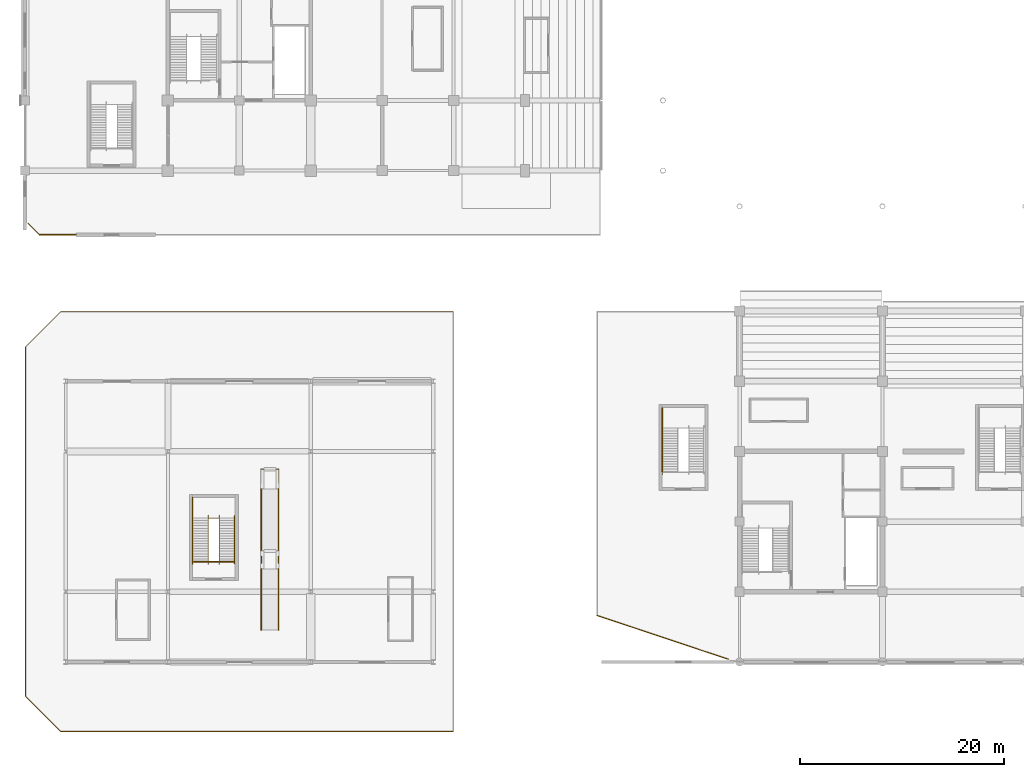
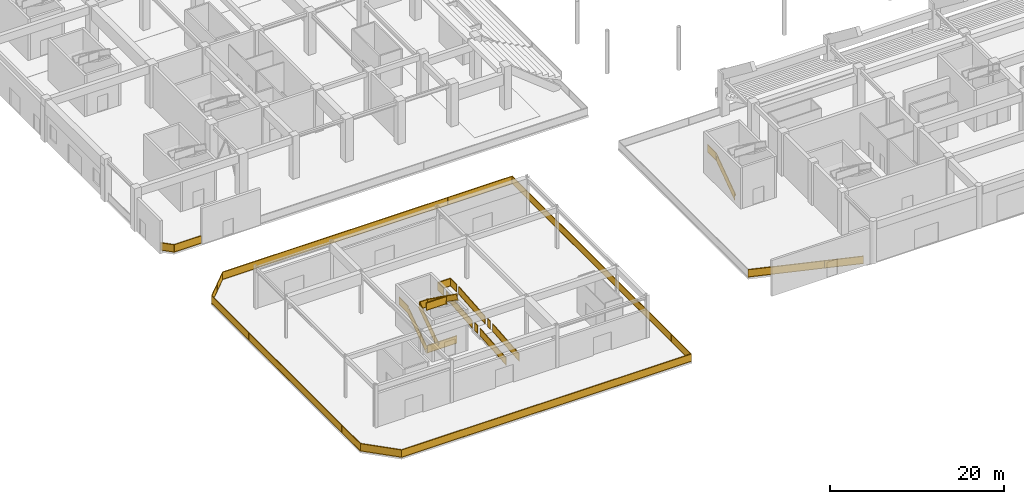
# One storey, part 57 of 73: 16 railings.
"""IFC4 building model written with IfcOpenShell, lengths in metres."""

from ifc_helpers import new_model, si_unit, direction, frame, origin, origin_2d, place, context, subcontext, project, spatial, rectangle, extrude, material, type_object, element, save


model = new_model("IFC4")

# Units and contexts
model_context = context("Model", 3, precision=1e-05, world=origin(), true_north=direction((0.0, 1.0)))
body_context = subcontext(model_context, "Body", "Model", "MODEL_VIEW")
ifc_project = project(units=[si_unit("LENGTHUNIT", "METRE"), si_unit("AREAUNIT", "SQUARE_METRE"), si_unit("VOLUMEUNIT", "CUBIC_METRE"), si_unit("PLANEANGLEUNIT", "RADIAN"), si_unit("MASSUNIT", "GRAM", prefix="KILO")], contexts=[model_context])

# Site, building, storey
site_placement = place(None, origin())
site = spatial("IfcSite", under=ifc_project, at=site_placement, CompositionType="ELEMENT")
building_placement = place(site_placement, origin())
building = spatial("IfcBuilding", under=site, at=building_placement, Name="Linyun Crest Stadium", CompositionType="ELEMENT")
storey_placement = place(building_placement, origin())
storey = spatial("IfcBuildingStorey", under=building, at=storey_placement, Name="L01", CompositionType="ELEMENT", Elevation=0.0)

# Railings
ifc_material_1 = material(Name="Verdigris painted steel botanical balustrade", Category="steel")
railing_type_1 = type_object("IfcRailingType", Name="GR01", PredefinedType="BALUSTRADE", material=ifc_material_1)
railing_1_placement = place(storey_placement, frame((-74.840087890625, -84.422119140625, 0.5)))
element("IfcRailing", 1, at=railing_1_placement, inside=storey, type_object=railing_type_1, Name="Slab edge balustrade GR01 400", PredefinedType="BALUSTRADE", context=body_context, shape_type="SweptSolid", body=[
    extrude(rectangle(XDim=0.06005859375, YDim=0.06005859375, at=origin_2d()), frame((0.0, 0.0, 1.119873046875), z_axis=(0.0, 1.0, 0.0), x_axis=(-1.0, 0.0, 0.0)), (0.0, 0.0, 1.0), 0.64404296875),
    extrude(rectangle(XDim=0.030029296875, YDim=1.02978515625, at=origin_2d()), frame((0.0, 0.0, 0.574951171875), z_axis=(0.0, 1.0, 0.0), x_axis=(-1.0, 0.0, 0.0)), (0.0, 0.0, 1.0), 0.64404296875),
    extrude(rectangle(XDim=0.06005859375, YDim=0.06005859375, at=origin_2d()), frame((0.0, 0.0, 0.030029296875), z_axis=(0.0, 1.0, 0.0), x_axis=(-1.0, 0.0, 0.0)), (0.0, 0.0, 1.0), 0.64404296875),
    extrude(rectangle(XDim=0.050048828125, YDim=0.050048828125, at=origin_2d()), origin(), (0.0, 0.0, 1.0), 1.14990234375),
    extrude(rectangle(XDim=0.050048828125, YDim=0.050048828125, at=origin_2d()), frame((0.0, 0.64404296875, 0.0)), (0.0, 0.0, 1.0), 1.14990234375),
])
railing_2_placement = place(storey_placement, frame((-73.159912109375, -83.778076171875, 0.5)))
element("IfcRailing", 2, at=railing_2_placement, inside=storey, type_object=railing_type_1, Name="Slab edge balustrade GR01 401", PredefinedType="BALUSTRADE", context=body_context, shape_type="SweptSolid", body=[
    extrude(rectangle(XDim=0.06005859375, YDim=0.06005859375, at=origin_2d()), frame((0.0, 0.0, 1.119873046875), z_axis=(0.0, -1.0, 0.0), x_axis=(1.0, 0.0, 0.0)), (0.0, 0.0, 1.0), 0.64404296875),
    extrude(rectangle(XDim=0.030029296875, YDim=1.02978515625, at=origin_2d()), frame((0.0, 0.0, 0.574951171875), z_axis=(0.0, -1.0, 0.0), x_axis=(1.0, 0.0, 0.0)), (0.0, 0.0, 1.0), 0.64404296875),
    extrude(rectangle(XDim=0.06005859375, YDim=0.06005859375, at=origin_2d()), frame((0.0, 0.0, 0.030029296875), z_axis=(0.0, -1.0, 0.0), x_axis=(1.0, 0.0, 0.0)), (0.0, 0.0, 1.0), 0.64404296875),
    extrude(rectangle(XDim=0.050048828125, YDim=0.050048828125, at=origin_2d()), origin(), (0.0, 0.0, 1.0), 1.14990234375),
    extrude(rectangle(XDim=0.050048828125, YDim=0.050048828125, at=origin_2d()), frame((0.0, -0.64404296875, 0.0)), (0.0, 0.0, 1.0), 1.14990234375),
])
railing_3_placement = place(storey_placement, frame((-74.840087890625, -76.6220703125, 1.0)))
element("IfcRailing", 3, at=railing_3_placement, inside=storey, type_object=railing_type_1, Name="Slab edge balustrade GR01 402", PredefinedType="BALUSTRADE", context=body_context, shape_type="SweptSolid", body=[
    extrude(rectangle(XDim=0.06005859375, YDim=0.06005859375, at=origin_2d()), frame((0.0, 0.0, 1.119873046875), z_axis=(0.0, 1.0, 0.0), x_axis=(-1.0, 0.0, 0.0)), (0.0, 0.0, 1.0), 1.362060546875),
    extrude(rectangle(XDim=0.030029296875, YDim=1.02978515625, at=origin_2d()), frame((0.0, 0.0, 0.574951171875), z_axis=(0.0, 1.0, 0.0), x_axis=(-1.0, 0.0, 0.0)), (0.0, 0.0, 1.0), 1.362060546875),
    extrude(rectangle(XDim=0.06005859375, YDim=0.06005859375, at=origin_2d()), frame((0.0, 0.0, 0.030029296875), z_axis=(0.0, 1.0, 0.0), x_axis=(-1.0, 0.0, 0.0)), (0.0, 0.0, 1.0), 1.362060546875),
    extrude(rectangle(XDim=0.06005859375, YDim=0.06005859375, at=origin_2d()), frame((0.0, 1.362060546875, 1.119873046875), z_axis=(1.0, 0.0, 0.0), x_axis=(0.0, 1.0, 0.0)), (0.0, 0.0, 1.0), 1.68017578125),
    extrude(rectangle(XDim=0.030029296875, YDim=1.02978515625, at=origin_2d()), frame((0.0, 1.362060546875, 0.574951171875), z_axis=(1.0, 0.0, 0.0), x_axis=(0.0, 1.0, 0.0)), (0.0, 0.0, 1.0), 1.68017578125),
    extrude(rectangle(XDim=0.06005859375, YDim=0.06005859375, at=origin_2d()), frame((0.0, 1.362060546875, 0.030029296875), z_axis=(1.0, 0.0, 0.0), x_axis=(0.0, 1.0, 0.0)), (0.0, 0.0, 1.0), 1.68017578125),
    extrude(rectangle(XDim=0.06005859375, YDim=0.06005859375, at=origin_2d()), frame((1.68017578125, 1.362060546875, 1.119873046875), z_axis=(0.0, -1.0, 0.0), x_axis=(1.0, 0.0, 0.0)), (0.0, 0.0, 1.0), 1.362060546875),
    extrude(rectangle(XDim=0.030029296875, YDim=1.02978515625, at=origin_2d()), frame((1.68017578125, 1.362060546875, 0.574951171875), z_axis=(0.0, -1.0, 0.0), x_axis=(1.0, 0.0, 0.0)), (0.0, 0.0, 1.0), 1.362060546875),
    extrude(rectangle(XDim=0.06005859375, YDim=0.06005859375, at=origin_2d()), frame((1.68017578125, 1.362060546875, 0.030029296875), z_axis=(0.0, -1.0, 0.0), x_axis=(1.0, 0.0, 0.0)), (0.0, 0.0, 1.0), 1.362060546875),
    extrude(rectangle(XDim=0.050048828125, YDim=0.050048828125, at=origin_2d()), origin(), (0.0, 0.0, 1.0), 1.14990234375),
    extrude(rectangle(XDim=0.050048828125, YDim=0.050048828125, at=origin_2d()), frame((0.0, 1.362060546875, 0.0)), (0.0, 0.0, 1.0), 1.14990234375),
    extrude(rectangle(XDim=0.050048828125, YDim=0.050048828125, at=origin_2d()), frame((1.68017578125, 1.362060546875, 0.0)), (0.0, 0.0, 1.0), 1.14990234375),
    extrude(rectangle(XDim=0.050048828125, YDim=0.050048828125, at=origin_2d()), frame((1.68017578125, 0.0, 0.0)), (0.0, 0.0, 1.0), 1.14990234375),
])
ifc_material_2 = material(Name="Galvanized and powder-coated steel bowl safety barrier", Category="steel")
railing_type_2 = type_object("IfcRailingType", Name="GR02", PredefinedType="GUARDRAIL", material=ifc_material_2)
railing_4_placement = place(storey_placement, frame((-96.574951171875, -52.27490234375, 0.0)))
element("IfcRailing", 4, at=railing_4_placement, inside=storey, type_object=railing_type_2, Name="Slab edge balustrade GR02 1", PredefinedType="GUARDRAIL", context=body_context, shape_type="SweptSolid", body=[
    extrude(rectangle(XDim=0.06005859375, YDim=0.06005859375, at=origin_2d()), frame((0.0, 0.0, 1.090087890625), z_axis=(-0.707106781187, 0.707106781187, 0.0), x_axis=(-0.707106781187, -0.707106781187, 0.0)), (0.0, 0.0, 1.0), 1.562744140625),
    extrude(rectangle(XDim=0.030029296875, YDim=1.0, at=origin_2d()), frame((0.0, 0.0, 0.56005859375), z_axis=(-0.707106781187, 0.707106781187, 0.0), x_axis=(-0.707106781187, -0.707106781187, 0.0)), (0.0, 0.0, 1.0), 1.562744140625),
    extrude(rectangle(XDim=0.06005859375, YDim=0.06005859375, at=origin_2d()), frame((0.0, 0.0, 0.030029296875), z_axis=(-0.707106781187, 0.707106781187, 0.0), x_axis=(-0.707106781187, -0.707106781187, 0.0)), (0.0, 0.0, 1.0), 1.562744140625),
    extrude(rectangle(XDim=0.050048828125, YDim=0.050048828125, at=origin_2d()), origin(), (0.0, 0.0, 1.0), 1.1201171875),
    extrude(rectangle(XDim=0.050048828125, YDim=0.050048828125, at=origin_2d()), frame((-1.10498046875, 1.10498046875, 0.0)), (0.0, 0.0, 1.0), 1.1201171875),
])
railing_5_placement = place(storey_placement, frame((-93.0, -52.27490234375, 0.0)))
element("IfcRailing", 5, at=railing_5_placement, inside=storey, type_object=railing_type_2, Name="Slab edge balustrade GR02 5", PredefinedType="GUARDRAIL", context=body_context, shape_type="SweptSolid", body=[
    extrude(rectangle(XDim=0.06005859375, YDim=0.06005859375, at=origin_2d()), frame((0.0, 0.0, 1.090087890625), z_axis=(-1.0, 0.0, 0.0), x_axis=(0.0, -1.0, 0.0)), (0.0, 0.0, 1.0), 3.574951171875),
    extrude(rectangle(XDim=0.030029296875, YDim=1.0, at=origin_2d()), frame((0.0, 0.0, 0.56005859375), z_axis=(-1.0, 0.0, 0.0), x_axis=(0.0, -1.0, 0.0)), (0.0, 0.0, 1.0), 3.574951171875),
    extrude(rectangle(XDim=0.06005859375, YDim=0.06005859375, at=origin_2d()), frame((0.0, 0.0, 0.030029296875), z_axis=(-1.0, 0.0, 0.0), x_axis=(0.0, -1.0, 0.0)), (0.0, 0.0, 1.0), 3.574951171875),
    extrude(rectangle(XDim=0.050048828125, YDim=0.050048828125, at=origin_2d()), origin(), (0.0, 0.0, 1.0), 1.1201171875),
    extrude(rectangle(XDim=0.050048828125, YDim=0.050048828125, at=origin_2d()), frame((-3.574951171875, 0.0, 0.0)), (0.0, 0.0, 1.0), 1.1201171875),
])
railing_6_placement = place(storey_placement, frame((-29.14990234375, -93.844970703125, 0.0)))
element("IfcRailing", 6, at=railing_6_placement, inside=storey, type_object=railing_type_2, Name="Slab edge balustrade GR02 245", PredefinedType="GUARDRAIL", context=body_context, shape_type="SweptSolid", body=[
    extrude(rectangle(XDim=0.06005859375, YDim=0.06005859375, at=origin_2d()), frame((0.0, 0.0, 1.090087890625), z_axis=(-0.948692352143, 0.316200602443, 0.0), x_axis=(-0.316200602443, -0.948692352143, 0.0)), (0.0, 0.0, 1.0), 13.481689453125),
    extrude(rectangle(XDim=0.030029296875, YDim=1.0, at=origin_2d()), frame((0.0, 0.0, 0.56005859375), z_axis=(-0.948692352143, 0.316200602443, 0.0), x_axis=(-0.316200602443, -0.948692352143, 0.0)), (0.0, 0.0, 1.0), 13.481689453125),
    extrude(rectangle(XDim=0.06005859375, YDim=0.06005859375, at=origin_2d()), frame((0.0, 0.0, 0.030029296875), z_axis=(-0.948692352143, 0.316200602443, 0.0), x_axis=(-0.316200602443, -0.948692352143, 0.0)), (0.0, 0.0, 1.0), 13.481689453125),
    extrude(rectangle(XDim=0.050048828125, YDim=0.050048828125, at=origin_2d()), origin(), (0.0, 0.0, 1.0), 1.1201171875),
    extrude(rectangle(XDim=0.050048828125, YDim=0.050048828125, at=origin_2d()), frame((-4.263427734375, 1.4208984375, 0.0)), (0.0, 0.0, 1.0), 1.1201171875),
    extrude(rectangle(XDim=0.050048828125, YDim=0.050048828125, at=origin_2d()), frame((-8.526611328125, 2.842041015625, 0.0)), (0.0, 0.0, 1.0), 1.1201171875),
    extrude(rectangle(XDim=0.050048828125, YDim=0.050048828125, at=origin_2d()), frame((-12.7900390625, 4.262939453125, 0.0)), (0.0, 0.0, 1.0), 1.1201171875),
])
railing_7_placement = place(storey_placement, frame((-94.47509765625, -100.93994140625, 0.0)))
element("IfcRailing", 7, at=railing_7_placement, inside=storey, type_object=railing_type_2, Name="Slab edge balustrade GR02 379", PredefinedType="GUARDRAIL", context=body_context, shape_type="SweptSolid", body=[
    extrude(rectangle(XDim=0.06005859375, YDim=0.06005859375, at=origin_2d()), frame((0.0, 0.0, 1.090087890625), z_axis=(-0.707106781187, 0.707106781187, 0.0), x_axis=(-0.707106781187, -0.707106781187, 0.0)), (0.0, 0.0, 1.0), 4.900146484375),
    extrude(rectangle(XDim=0.030029296875, YDim=1.0, at=origin_2d()), frame((0.0, 0.0, 0.56005859375), z_axis=(-0.707106781187, 0.707106781187, 0.0), x_axis=(-0.707106781187, -0.707106781187, 0.0)), (0.0, 0.0, 1.0), 4.900146484375),
    extrude(rectangle(XDim=0.06005859375, YDim=0.06005859375, at=origin_2d()), frame((0.0, 0.0, 0.030029296875), z_axis=(-0.707106781187, 0.707106781187, 0.0), x_axis=(-0.707106781187, -0.707106781187, 0.0)), (0.0, 0.0, 1.0), 4.900146484375),
    extrude(rectangle(XDim=0.06005859375, YDim=0.06005859375, at=origin_2d()), frame((-3.46484375, 3.46484375, 1.090087890625), z_axis=(0.0, 1.0, 0.0), x_axis=(-1.0, 0.0, 0.0)), (0.0, 0.0, 1.0), 34.2001953125),
    extrude(rectangle(XDim=0.030029296875, YDim=1.0, at=origin_2d()), frame((-3.46484375, 3.46484375, 0.56005859375), z_axis=(0.0, 1.0, 0.0), x_axis=(-1.0, 0.0, 0.0)), (0.0, 0.0, 1.0), 34.2001953125),
    extrude(rectangle(XDim=0.06005859375, YDim=0.06005859375, at=origin_2d()), frame((-3.46484375, 3.46484375, 0.030029296875), z_axis=(0.0, 1.0, 0.0), x_axis=(-1.0, 0.0, 0.0)), (0.0, 0.0, 1.0), 34.2001953125),
    extrude(rectangle(XDim=0.06005859375, YDim=0.06005859375, at=origin_2d()), frame((-3.46484375, 37.6650390625, 1.090087890625), z_axis=(0.707106781187, 0.707106781187, 0.0), x_axis=(-0.707106781187, 0.707106781187, 0.0)), (0.0, 0.0, 1.0), 4.900146484375),
    extrude(rectangle(XDim=0.030029296875, YDim=1.0, at=origin_2d()), frame((-3.46484375, 37.6650390625, 0.56005859375), z_axis=(0.707106781187, 0.707106781187, 0.0), x_axis=(-0.707106781187, 0.707106781187, 0.0)), (0.0, 0.0, 1.0), 4.900146484375),
    extrude(rectangle(XDim=0.06005859375, YDim=0.06005859375, at=origin_2d()), frame((-3.46484375, 37.6650390625, 0.030029296875), z_axis=(0.707106781187, 0.707106781187, 0.0), x_axis=(-0.707106781187, 0.707106781187, 0.0)), (0.0, 0.0, 1.0), 4.900146484375),
    extrude(rectangle(XDim=0.06005859375, YDim=0.06005859375, at=origin_2d()), frame((0.0, 41.1298828125, 1.090087890625), z_axis=(1.0, 0.0, 0.0), x_axis=(0.0, 1.0, 0.0)), (0.0, 0.0, 1.0), 38.4150390625),
    extrude(rectangle(XDim=0.030029296875, YDim=1.0, at=origin_2d()), frame((0.0, 41.1298828125, 0.56005859375), z_axis=(1.0, 0.0, 0.0), x_axis=(0.0, 1.0, 0.0)), (0.0, 0.0, 1.0), 38.4150390625),
    extrude(rectangle(XDim=0.06005859375, YDim=0.06005859375, at=origin_2d()), frame((0.0, 41.1298828125, 0.030029296875), z_axis=(1.0, 0.0, 0.0), x_axis=(0.0, 1.0, 0.0)), (0.0, 0.0, 1.0), 38.4150390625),
    extrude(rectangle(XDim=0.06005859375, YDim=0.06005859375, at=origin_2d()), frame((38.4150390625, 41.1298828125, 1.090087890625), z_axis=(0.0, -1.0, 0.0), x_axis=(1.0, 0.0, 0.0)), (0.0, 0.0, 1.0), 41.1298828125),
    extrude(rectangle(XDim=0.030029296875, YDim=1.0, at=origin_2d()), frame((38.4150390625, 41.1298828125, 0.56005859375), z_axis=(0.0, -1.0, 0.0), x_axis=(1.0, 0.0, 0.0)), (0.0, 0.0, 1.0), 41.1298828125),
    extrude(rectangle(XDim=0.06005859375, YDim=0.06005859375, at=origin_2d()), frame((38.4150390625, 41.1298828125, 0.030029296875), z_axis=(0.0, -1.0, 0.0), x_axis=(1.0, 0.0, 0.0)), (0.0, 0.0, 1.0), 41.1298828125),
    extrude(rectangle(XDim=0.06005859375, YDim=0.06005859375, at=origin_2d()), frame((38.4150390625, 0.0, 1.090087890625), z_axis=(-1.0, 0.0, 0.0), x_axis=(0.0, -1.0, 0.0)), (0.0, 0.0, 1.0), 38.4150390625),
    extrude(rectangle(XDim=0.030029296875, YDim=1.0, at=origin_2d()), frame((38.4150390625, 0.0, 0.56005859375), z_axis=(-1.0, 0.0, 0.0), x_axis=(0.0, -1.0, 0.0)), (0.0, 0.0, 1.0), 38.4150390625),
    extrude(rectangle(XDim=0.06005859375, YDim=0.06005859375, at=origin_2d()), frame((38.4150390625, 0.0, 0.030029296875), z_axis=(-1.0, 0.0, 0.0), x_axis=(0.0, -1.0, 0.0)), (0.0, 0.0, 1.0), 38.4150390625),
    extrude(rectangle(XDim=0.050048828125, YDim=0.050048828125, at=origin_2d()), origin(), (0.0, 0.0, 1.0), 1.1201171875),
    extrude(rectangle(XDim=0.050048828125, YDim=0.050048828125, at=origin_2d()), frame((-1.732421875, 1.732421875, 0.0)), (0.0, 0.0, 1.0), 1.1201171875),
    extrude(rectangle(XDim=0.050048828125, YDim=0.050048828125, at=origin_2d()), frame((-3.46484375, 3.46484375, 0.0)), (0.0, 0.0, 1.0), 1.1201171875),
    extrude(rectangle(XDim=0.050048828125, YDim=0.050048828125, at=origin_2d()), frame((-3.46484375, 7.73974609375, 0.0)), (0.0, 0.0, 1.0), 1.1201171875),
    extrude(rectangle(XDim=0.050048828125, YDim=0.050048828125, at=origin_2d()), frame((-3.46484375, 12.014892578125, 0.0)), (0.0, 0.0, 1.0), 1.1201171875),
    extrude(rectangle(XDim=0.050048828125, YDim=0.050048828125, at=origin_2d()), frame((-3.46484375, 16.2900390625, 0.0)), (0.0, 0.0, 1.0), 1.1201171875),
    extrude(rectangle(XDim=0.050048828125, YDim=0.050048828125, at=origin_2d()), frame((-3.46484375, 20.56494140625, 0.0)), (0.0, 0.0, 1.0), 1.1201171875),
    extrude(rectangle(XDim=0.050048828125, YDim=0.050048828125, at=origin_2d()), frame((-3.46484375, 24.83984375, 0.0)), (0.0, 0.0, 1.0), 1.1201171875),
    extrude(rectangle(XDim=0.050048828125, YDim=0.050048828125, at=origin_2d()), frame((-3.46484375, 29.114990234375, 0.0)), (0.0, 0.0, 1.0), 1.1201171875),
    extrude(rectangle(XDim=0.050048828125, YDim=0.050048828125, at=origin_2d()), frame((-3.46484375, 33.39013671875, 0.0)), (0.0, 0.0, 1.0), 1.1201171875),
    extrude(rectangle(XDim=0.050048828125, YDim=0.050048828125, at=origin_2d()), frame((-3.46484375, 37.6650390625, 0.0)), (0.0, 0.0, 1.0), 1.1201171875),
    extrude(rectangle(XDim=0.050048828125, YDim=0.050048828125, at=origin_2d()), frame((-1.732421875, 39.3974609375, 0.0)), (0.0, 0.0, 1.0), 1.1201171875),
    extrude(rectangle(XDim=0.050048828125, YDim=0.050048828125, at=origin_2d()), frame((0.0, 41.1298828125, 0.0)), (0.0, 0.0, 1.0), 1.1201171875),
    extrude(rectangle(XDim=0.050048828125, YDim=0.050048828125, at=origin_2d()), frame((4.268310546875, 41.1298828125, 0.0)), (0.0, 0.0, 1.0), 1.1201171875),
    extrude(rectangle(XDim=0.050048828125, YDim=0.050048828125, at=origin_2d()), frame((8.53662109375, 41.1298828125, 0.0)), (0.0, 0.0, 1.0), 1.1201171875),
    extrude(rectangle(XDim=0.050048828125, YDim=0.050048828125, at=origin_2d()), frame((12.804931640625, 41.1298828125, 0.0)), (0.0, 0.0, 1.0), 1.1201171875),
    extrude(rectangle(XDim=0.050048828125, YDim=0.050048828125, at=origin_2d()), frame((17.0732421875, 41.1298828125, 0.0)), (0.0, 0.0, 1.0), 1.1201171875),
    extrude(rectangle(XDim=0.050048828125, YDim=0.050048828125, at=origin_2d()), frame((21.341796875, 41.1298828125, 0.0)), (0.0, 0.0, 1.0), 1.1201171875),
    extrude(rectangle(XDim=0.050048828125, YDim=0.050048828125, at=origin_2d()), frame((25.610107421875, 41.1298828125, 0.0)), (0.0, 0.0, 1.0), 1.1201171875),
    extrude(rectangle(XDim=0.050048828125, YDim=0.050048828125, at=origin_2d()), frame((29.87841796875, 41.1298828125, 0.0)), (0.0, 0.0, 1.0), 1.1201171875),
    extrude(rectangle(XDim=0.050048828125, YDim=0.050048828125, at=origin_2d()), frame((34.146728515625, 41.1298828125, 0.0)), (0.0, 0.0, 1.0), 1.1201171875),
    extrude(rectangle(XDim=0.050048828125, YDim=0.050048828125, at=origin_2d()), frame((38.4150390625, 41.1298828125, 0.0)), (0.0, 0.0, 1.0), 1.1201171875),
    extrude(rectangle(XDim=0.050048828125, YDim=0.050048828125, at=origin_2d()), frame((38.4150390625, 36.559814453125, 0.0)), (0.0, 0.0, 1.0), 1.1201171875),
    extrude(rectangle(XDim=0.050048828125, YDim=0.050048828125, at=origin_2d()), frame((38.4150390625, 31.989990234375, 0.0)), (0.0, 0.0, 1.0), 1.1201171875),
    extrude(rectangle(XDim=0.050048828125, YDim=0.050048828125, at=origin_2d()), frame((38.4150390625, 27.419921875, 0.0)), (0.0, 0.0, 1.0), 1.1201171875),
    extrude(rectangle(XDim=0.050048828125, YDim=0.050048828125, at=origin_2d()), frame((38.4150390625, 22.849853515625, 0.0)), (0.0, 0.0, 1.0), 1.1201171875),
    extrude(rectangle(XDim=0.050048828125, YDim=0.050048828125, at=origin_2d()), frame((38.4150390625, 18.280029296875, 0.0)), (0.0, 0.0, 1.0), 1.1201171875),
    extrude(rectangle(XDim=0.050048828125, YDim=0.050048828125, at=origin_2d()), frame((38.4150390625, 13.7099609375, 0.0)), (0.0, 0.0, 1.0), 1.1201171875),
    extrude(rectangle(XDim=0.050048828125, YDim=0.050048828125, at=origin_2d()), frame((38.4150390625, 9.139892578125, 0.0)), (0.0, 0.0, 1.0), 1.1201171875),
    extrude(rectangle(XDim=0.050048828125, YDim=0.050048828125, at=origin_2d()), frame((38.4150390625, 4.570068359375, 0.0)), (0.0, 0.0, 1.0), 1.1201171875),
    extrude(rectangle(XDim=0.050048828125, YDim=0.050048828125, at=origin_2d()), frame((38.4150390625, 0.0, 0.0)), (0.0, 0.0, 1.0), 1.1201171875),
    extrude(rectangle(XDim=0.050048828125, YDim=0.050048828125, at=origin_2d()), frame((34.146728515625, 0.0, 0.0)), (0.0, 0.0, 1.0), 1.1201171875),
    extrude(rectangle(XDim=0.050048828125, YDim=0.050048828125, at=origin_2d()), frame((29.87841796875, 0.0, 0.0)), (0.0, 0.0, 1.0), 1.1201171875),
    extrude(rectangle(XDim=0.050048828125, YDim=0.050048828125, at=origin_2d()), frame((25.610107421875, 0.0, 0.0)), (0.0, 0.0, 1.0), 1.1201171875),
    extrude(rectangle(XDim=0.050048828125, YDim=0.050048828125, at=origin_2d()), frame((21.341796875, 0.0, 0.0)), (0.0, 0.0, 1.0), 1.1201171875),
    extrude(rectangle(XDim=0.050048828125, YDim=0.050048828125, at=origin_2d()), frame((17.0732421875, 0.0, 0.0)), (0.0, 0.0, 1.0), 1.1201171875),
    extrude(rectangle(XDim=0.050048828125, YDim=0.050048828125, at=origin_2d()), frame((12.804931640625, 0.0, 0.0)), (0.0, 0.0, 1.0), 1.1201171875),
    extrude(rectangle(XDim=0.050048828125, YDim=0.050048828125, at=origin_2d()), frame((8.53662109375, 0.0, 0.0)), (0.0, 0.0, 1.0), 1.1201171875),
    extrude(rectangle(XDim=0.050048828125, YDim=0.050048828125, at=origin_2d()), frame((4.268310546875, 0.0, 0.0)), (0.0, 0.0, 1.0), 1.1201171875),
])
railing_8_placement = place(storey_placement, frame((-81.4599609375, -84.31005859375, 0.0)))
element("IfcRailing", 8, at=railing_8_placement, inside=storey, type_object=railing_type_2, Name="Slab edge balustrade GR02 380", PredefinedType="GUARDRAIL", context=body_context, shape_type="SweptSolid", body=[
    extrude(rectangle(XDim=0.06005859375, YDim=0.06005859375, at=origin_2d()), frame((0.0, 0.0, 1.090087890625), z_axis=(1.0, 0.0, 0.0), x_axis=(0.0, 1.0, 0.0)), (0.0, 0.0, 1.0), 3.919921875),
    extrude(rectangle(XDim=0.030029296875, YDim=1.0, at=origin_2d()), frame((0.0, 0.0, 0.56005859375), z_axis=(1.0, 0.0, 0.0), x_axis=(0.0, 1.0, 0.0)), (0.0, 0.0, 1.0), 3.919921875),
    extrude(rectangle(XDim=0.06005859375, YDim=0.06005859375, at=origin_2d()), frame((0.0, 0.0, 0.030029296875), z_axis=(1.0, 0.0, 0.0), x_axis=(0.0, 1.0, 0.0)), (0.0, 0.0, 1.0), 3.919921875),
    extrude(rectangle(XDim=0.050048828125, YDim=0.050048828125, at=origin_2d()), origin(), (0.0, 0.0, 1.0), 1.1201171875),
    extrude(rectangle(XDim=0.050048828125, YDim=0.050048828125, at=origin_2d()), frame((3.919921875, 0.0, 0.0)), (0.0, 0.0, 1.0), 1.1201171875),
])
ifc_material_3 = material(Name="Painted steel stairwell safety guard", Category="steel")
railing_type_3 = type_object("IfcRailingType", Name="GR03", PredefinedType="GUARDRAIL", material=ifc_material_3)
railing_9_placement = place(storey_placement, frame((-35.570068359375, -75.47998046875, 0.0)))
element("IfcRailing", 9, at=railing_9_placement, inside=storey, type_object=railing_type_3, Name="STR-27-L01 outer guard", PredefinedType="GUARDRAIL", context=body_context, shape_type="SweptSolid", body=[
    extrude(rectangle(XDim=0.06005859375, YDim=0.06005859375, at=origin_2d()), frame((0.0, 0.0, 1.090087890625), z_axis=(0.0, 0.816967863265, 0.576683197599), x_axis=(-1.0, 0.0, 0.0)), (0.0, 0.0, 1.0), 5.2021484375),
    extrude(rectangle(XDim=0.030029296875, YDim=1.0, at=origin_2d()), frame((0.0, 0.0, 0.56005859375), z_axis=(0.0, 0.816967863265, 0.576683197599), x_axis=(-1.0, 0.0, 0.0)), (0.0, 0.0, 1.0), 5.2021484375),
    extrude(rectangle(XDim=0.06005859375, YDim=0.06005859375, at=origin_2d()), frame((0.0, 0.0, 0.030029296875), z_axis=(0.0, 0.816967863265, 0.576683197599), x_axis=(-1.0, 0.0, 0.0)), (0.0, 0.0, 1.0), 5.2021484375),
    extrude(rectangle(XDim=0.06005859375, YDim=0.06005859375, at=origin_2d()), frame((0.0, 4.25, 4.090087890625), z_axis=(0.0, 1.0, 0.0), x_axis=(-1.0, 0.0, 0.0)), (0.0, 0.0, 1.0), 2.0),
    extrude(rectangle(XDim=0.030029296875, YDim=1.0, at=origin_2d()), frame((0.0, 4.25, 3.56005859375), z_axis=(0.0, 1.0, 0.0), x_axis=(-1.0, 0.0, 0.0)), (0.0, 0.0, 1.0), 2.0),
    extrude(rectangle(XDim=0.06005859375, YDim=0.06005859375, at=origin_2d()), frame((0.0, 4.25, 3.030029296875), z_axis=(0.0, 1.0, 0.0), x_axis=(-1.0, 0.0, 0.0)), (0.0, 0.0, 1.0), 2.0),
    extrude(rectangle(XDim=0.050048828125, YDim=0.050048828125, at=origin_2d()), origin(), (0.0, 0.0, 1.0), 1.1201171875),
    extrude(rectangle(XDim=0.050048828125, YDim=0.050048828125, at=origin_2d()), frame((0.0, 1.416748046875, 1.0)), (0.0, 0.0, 1.0), 1.1201171875),
    extrude(rectangle(XDim=0.050048828125, YDim=0.050048828125, at=origin_2d()), frame((0.0, 2.833251953125, 2.0)), (0.0, 0.0, 1.0), 1.1201171875),
    extrude(rectangle(XDim=0.050048828125, YDim=0.050048828125, at=origin_2d()), frame((0.0, 4.25, 3.0)), (0.0, 0.0, 1.0), 1.1201171875),
    extrude(rectangle(XDim=0.050048828125, YDim=0.050048828125, at=origin_2d()), frame((0.0, 6.25, 3.0)), (0.0, 0.0, 1.0), 1.1201171875),
])
railing_10_placement = place(storey_placement, frame((-81.570068359375, -84.280029296875, 0.0)))
element("IfcRailing", 10, at=railing_10_placement, inside=storey, type_object=railing_type_3, Name="STR-30-L01 outer guard", PredefinedType="GUARDRAIL", context=body_context, shape_type="SweptSolid", body=[
    extrude(rectangle(XDim=0.06005859375, YDim=0.06005859375, at=origin_2d()), frame((0.0, 0.0, 1.090087890625), z_axis=(0.0, 0.816967863265, 0.576683197599), x_axis=(-1.0, 0.0, 0.0)), (0.0, 0.0, 1.0), 5.2021484375),
    extrude(rectangle(XDim=0.030029296875, YDim=1.0, at=origin_2d()), frame((0.0, 0.0, 0.56005859375), z_axis=(0.0, 0.816967863265, 0.576683197599), x_axis=(-1.0, 0.0, 0.0)), (0.0, 0.0, 1.0), 5.2021484375),
    extrude(rectangle(XDim=0.06005859375, YDim=0.06005859375, at=origin_2d()), frame((0.0, 0.0, 0.030029296875), z_axis=(0.0, 0.816967863265, 0.576683197599), x_axis=(-1.0, 0.0, 0.0)), (0.0, 0.0, 1.0), 5.2021484375),
    extrude(rectangle(XDim=0.06005859375, YDim=0.06005859375, at=origin_2d()), frame((0.0, 4.25, 4.090087890625), z_axis=(0.0, 1.0, 0.0), x_axis=(-1.0, 0.0, 0.0)), (0.0, 0.0, 1.0), 2.0),
    extrude(rectangle(XDim=0.030029296875, YDim=1.0, at=origin_2d()), frame((0.0, 4.25, 3.56005859375), z_axis=(0.0, 1.0, 0.0), x_axis=(-1.0, 0.0, 0.0)), (0.0, 0.0, 1.0), 2.0),
    extrude(rectangle(XDim=0.06005859375, YDim=0.06005859375, at=origin_2d()), frame((0.0, 4.25, 3.030029296875), z_axis=(0.0, 1.0, 0.0), x_axis=(-1.0, 0.0, 0.0)), (0.0, 0.0, 1.0), 2.0),
    extrude(rectangle(XDim=0.050048828125, YDim=0.050048828125, at=origin_2d()), origin(), (0.0, 0.0, 1.0), 1.1201171875),
    extrude(rectangle(XDim=0.050048828125, YDim=0.050048828125, at=origin_2d()), frame((0.0, 1.416748046875, 1.0)), (0.0, 0.0, 1.0), 1.1201171875),
    extrude(rectangle(XDim=0.050048828125, YDim=0.050048828125, at=origin_2d()), frame((0.0, 2.833251953125, 2.0)), (0.0, 0.0, 1.0), 1.1201171875),
    extrude(rectangle(XDim=0.050048828125, YDim=0.050048828125, at=origin_2d()), frame((0.0, 4.25, 3.0)), (0.0, 0.0, 1.0), 1.1201171875),
    extrude(rectangle(XDim=0.050048828125, YDim=0.050048828125, at=origin_2d()), frame((0.0, 6.25, 3.0)), (0.0, 0.0, 1.0), 1.1201171875),
])
railing_11_placement = place(storey_placement, frame((-80.030029296875, -84.300048828125, 0.0)))
element("IfcRailing", 11, at=railing_11_placement, inside=storey, type_object=railing_type_3, Name="STR-30-L01 inner well guard", PredefinedType="GUARDRAIL", context=body_context, shape_type="SweptSolid", body=[
    extrude(rectangle(XDim=0.06005859375, YDim=0.06005859375, at=origin_2d()), frame((0.0, 0.0, 1.090087890625), z_axis=(0.0, 0.818241657069, 0.574874412926), x_axis=(-1.0, 0.0, 0.0)), (0.0, 0.0, 1.0), 5.218505859375),
    extrude(rectangle(XDim=0.030029296875, YDim=1.0, at=origin_2d()), frame((0.0, 0.0, 0.56005859375), z_axis=(0.0, 0.818241657069, 0.574874412926), x_axis=(-1.0, 0.0, 0.0)), (0.0, 0.0, 1.0), 5.218505859375),
    extrude(rectangle(XDim=0.06005859375, YDim=0.06005859375, at=origin_2d()), frame((0.0, 0.0, 0.030029296875), z_axis=(0.0, 0.818241657069, 0.574874412926), x_axis=(-1.0, 0.0, 0.0)), (0.0, 0.0, 1.0), 5.218505859375),
    extrude(rectangle(XDim=0.06005859375, YDim=0.06005859375, at=origin_2d()), frame((0.0, 4.27001953125, 4.090087890625), z_axis=(1.0, 0.0, 0.0), x_axis=(0.0, 1.0, 0.0)), (0.0, 0.0, 1.0), 1.06005859375),
    extrude(rectangle(XDim=0.030029296875, YDim=1.0, at=origin_2d()), frame((0.0, 4.27001953125, 3.56005859375), z_axis=(1.0, 0.0, 0.0), x_axis=(0.0, 1.0, 0.0)), (0.0, 0.0, 1.0), 1.06005859375),
    extrude(rectangle(XDim=0.06005859375, YDim=0.06005859375, at=origin_2d()), frame((0.0, 4.27001953125, 3.030029296875), z_axis=(1.0, 0.0, 0.0), x_axis=(0.0, 1.0, 0.0)), (0.0, 0.0, 1.0), 1.06005859375),
    extrude(rectangle(XDim=0.06005859375, YDim=0.06005859375, at=origin_2d()), frame((1.06005859375, 4.27001953125, 4.090087890625), z_axis=(0.0, -0.818241657069, 0.574874412926), x_axis=(1.0, 0.0, 0.0)), (0.0, 0.0, 1.0), 5.218505859375),
    extrude(rectangle(XDim=0.030029296875, YDim=1.0, at=origin_2d()), frame((1.06005859375, 4.27001953125, 3.56005859375), z_axis=(0.0, -0.818241657069, 0.574874412926), x_axis=(1.0, 0.0, 0.0)), (0.0, 0.0, 1.0), 5.218505859375),
    extrude(rectangle(XDim=0.06005859375, YDim=0.06005859375, at=origin_2d()), frame((1.06005859375, 4.27001953125, 3.030029296875), z_axis=(0.0, -0.818241657069, 0.574874412926), x_axis=(1.0, 0.0, 0.0)), (0.0, 0.0, 1.0), 5.218505859375),
    extrude(rectangle(XDim=0.06005859375, YDim=0.06005859375, at=origin_2d()), frame((1.06005859375, 0.0, 7.090087890625), z_axis=(-1.0, 0.0, 0.0), x_axis=(0.0, -1.0, 0.0)), (0.0, 0.0, 1.0), 2.610107421875),
    extrude(rectangle(XDim=0.030029296875, YDim=1.0, at=origin_2d()), frame((1.06005859375, 0.0, 6.56005859375), z_axis=(-1.0, 0.0, 0.0), x_axis=(0.0, -1.0, 0.0)), (0.0, 0.0, 1.0), 2.610107421875),
    extrude(rectangle(XDim=0.06005859375, YDim=0.06005859375, at=origin_2d()), frame((1.06005859375, 0.0, 6.030029296875), z_axis=(-1.0, 0.0, 0.0), x_axis=(0.0, -1.0, 0.0)), (0.0, 0.0, 1.0), 2.610107421875),
    extrude(rectangle(XDim=0.050048828125, YDim=0.050048828125, at=origin_2d()), origin(), (0.0, 0.0, 1.0), 1.1201171875),
    extrude(rectangle(XDim=0.050048828125, YDim=0.050048828125, at=origin_2d()), frame((0.0, 1.42333984375, 1.0)), (0.0, 0.0, 1.0), 1.1201171875),
    extrude(rectangle(XDim=0.050048828125, YDim=0.050048828125, at=origin_2d()), frame((0.0, 2.8466796875, 2.0)), (0.0, 0.0, 1.0), 1.1201171875),
    extrude(rectangle(XDim=0.050048828125, YDim=0.050048828125, at=origin_2d()), frame((0.0, 4.27001953125, 3.0)), (0.0, 0.0, 1.0), 1.1201171875),
    extrude(rectangle(XDim=0.050048828125, YDim=0.050048828125, at=origin_2d()), frame((1.06005859375, 4.27001953125, 3.0)), (0.0, 0.0, 1.0), 1.1201171875),
    extrude(rectangle(XDim=0.050048828125, YDim=0.050048828125, at=origin_2d()), frame((1.06005859375, 2.8466796875, 4.0)), (0.0, 0.0, 1.0), 1.1201171875),
    extrude(rectangle(XDim=0.050048828125, YDim=0.050048828125, at=origin_2d()), frame((1.06005859375, 1.42333984375, 5.0)), (0.0, 0.0, 1.0), 1.1201171875),
    extrude(rectangle(XDim=0.050048828125, YDim=0.050048828125, at=origin_2d()), frame((1.06005859375, 0.0, 6.0)), (0.0, 0.0, 1.0), 1.1201171875),
    extrude(rectangle(XDim=0.050048828125, YDim=0.050048828125, at=origin_2d()), frame((-0.2451171875, 0.0, 6.0)), (0.0, 0.0, 1.0), 1.1201171875),
    extrude(rectangle(XDim=0.050048828125, YDim=0.050048828125, at=origin_2d()), frame((-1.550048828125, 0.0, 6.0)), (0.0, 0.0, 1.0), 1.1201171875),
])
for number, where, name in (
    (12, (-74.85009765625, -91.0, 0.0), "RMP-05 guard 1W"),
    (13, (-73.14990234375, -91.0, 0.0), "RMP-05 guard 1E"),
    (14, (-74.85009765625, -83.199951171875, 0.5), "RMP-05 guard 2W"),
    (15, (-73.14990234375, -83.199951171875, 0.5), "RMP-05 guard 2E"),
):
    element("IfcRailing", number, at=place(storey_placement, frame(where)), inside=storey, type_object=railing_type_3, Name=name, PredefinedType="GUARDRAIL", context=body_context, shape_type="SweptSolid", body=[
        extrude(rectangle(XDim=0.06005859375, YDim=0.06005859375, at=origin_2d()), frame((0.0, 0.0, 1.090087890625), z_axis=(0.0, 0.996545758245, 0.083045479854), x_axis=(-1.0, 0.0, 0.0)), (0.0, 0.0, 1.0), 6.020751953125),
        extrude(rectangle(XDim=0.030029296875, YDim=1.0, at=origin_2d()), frame((0.0, 0.0, 0.56005859375), z_axis=(0.0, 0.996545758245, 0.083045479854), x_axis=(-1.0, 0.0, 0.0)), (0.0, 0.0, 1.0), 6.020751953125),
        extrude(rectangle(XDim=0.06005859375, YDim=0.06005859375, at=origin_2d()), frame((0.0, 0.0, 0.030029296875), z_axis=(0.0, 0.996545758245, 0.083045479854), x_axis=(-1.0, 0.0, 0.0)), (0.0, 0.0, 1.0), 6.020751953125),
        extrude(rectangle(XDim=0.050048828125, YDim=0.050048828125, at=origin_2d()), origin(), (0.0, 0.0, 1.0), 1.1201171875),
        extrude(rectangle(XDim=0.050048828125, YDim=0.050048828125, at=origin_2d()), frame((0.0, 2.0, 0.166748046875)), (0.0, 0.0, 1.0), 1.1201171875),
        extrude(rectangle(XDim=0.050048828125, YDim=0.050048828125, at=origin_2d()), frame((0.0, 4.0, 0.333251953125)), (0.0, 0.0, 1.0), 1.1201171875),
        extrude(rectangle(XDim=0.050048828125, YDim=0.050048828125, at=origin_2d()), frame((0.0, 6.0, 0.5)), (0.0, 0.0, 1.0), 1.1201171875),
    ])
ifc_material_4 = material(Name="Brushed stainless steel tubular handrail", Category="steel")
railing_type_4 = type_object("IfcRailingType", Name="HR01", PredefinedType="HANDRAIL", material=ifc_material_4)
railing_12_placement = place(storey_placement, frame((-77.47998046875, -80.030029296875, 3.0)))
element("IfcRailing", 16, at=railing_12_placement, inside=storey, type_object=railing_type_4, Name="STR-30-L01 handrail", PredefinedType="HANDRAIL", context=body_context, shape_type="SweptSolid", body=[
    extrude(rectangle(XDim=0.06005859375, YDim=0.06005859375, at=origin_2d()), frame((0.0, 0.0, 0.889892578125), z_axis=(0.0, -0.816967863265, 0.576683197599), x_axis=(1.0, 0.0, 0.0)), (0.0, 0.0, 1.0), 5.2021484375),
    extrude(rectangle(XDim=0.030029296875, YDim=0.7998046875, at=origin_2d()), frame((0.0, 0.0, 0.4599609375), z_axis=(0.0, -0.816967863265, 0.576683197599), x_axis=(1.0, 0.0, 0.0)), (0.0, 0.0, 1.0), 5.2021484375),
    extrude(rectangle(XDim=0.06005859375, YDim=0.06005859375, at=origin_2d()), frame((0.0, 0.0, 0.030029296875), z_axis=(0.0, -0.816967863265, 0.576683197599), x_axis=(1.0, 0.0, 0.0)), (0.0, 0.0, 1.0), 5.2021484375),
    extrude(rectangle(XDim=0.050048828125, YDim=0.050048828125, at=origin_2d()), origin(), (0.0, 0.0, 1.0), 0.919921875),
    extrude(rectangle(XDim=0.050048828125, YDim=0.050048828125, at=origin_2d()), frame((0.0, -1.416748046875, 1.0)), (0.0, 0.0, 1.0), 0.919921875),
    extrude(rectangle(XDim=0.050048828125, YDim=0.050048828125, at=origin_2d()), frame((0.0, -2.833251953125, 2.0)), (0.0, 0.0, 1.0), 0.919921875),
    extrude(rectangle(XDim=0.050048828125, YDim=0.050048828125, at=origin_2d()), frame((0.0, -4.25, 3.0)), (0.0, 0.0, 1.0), 0.919921875),
])

save(model, "model.ifc")
